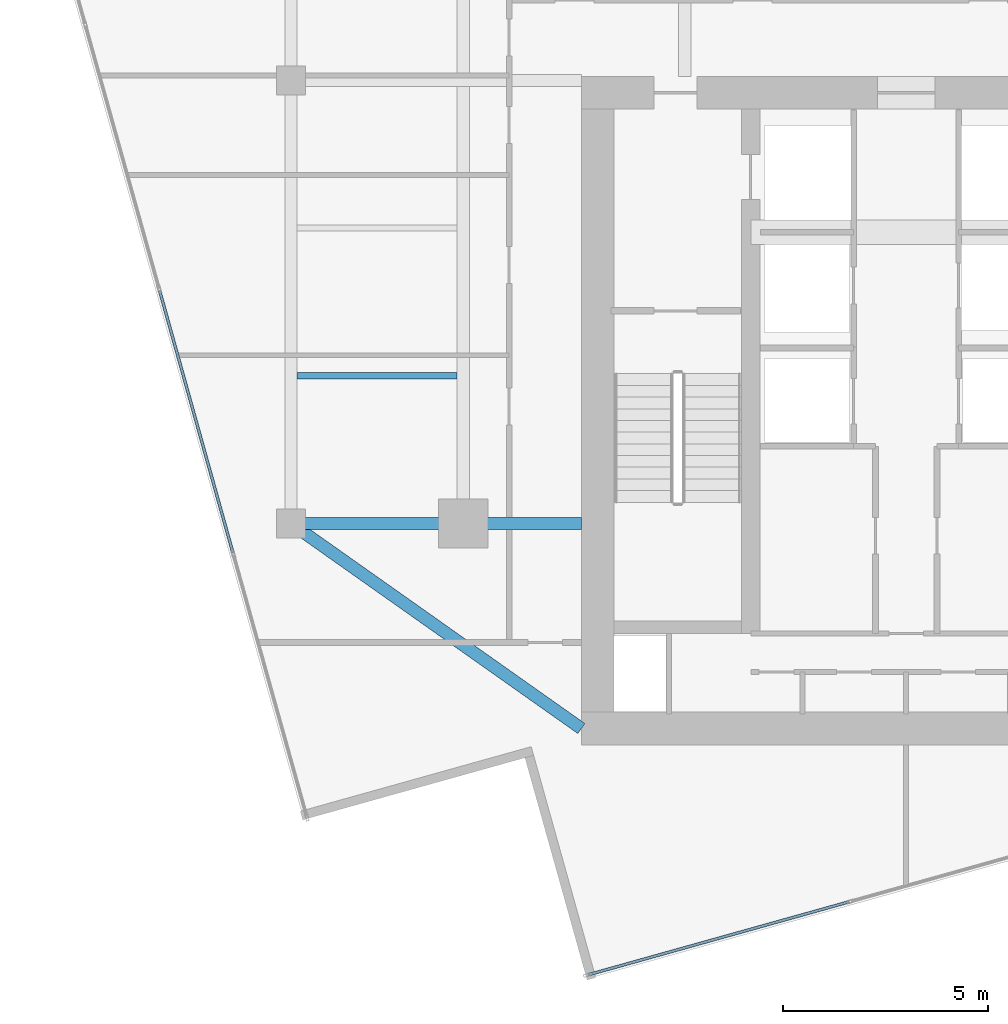
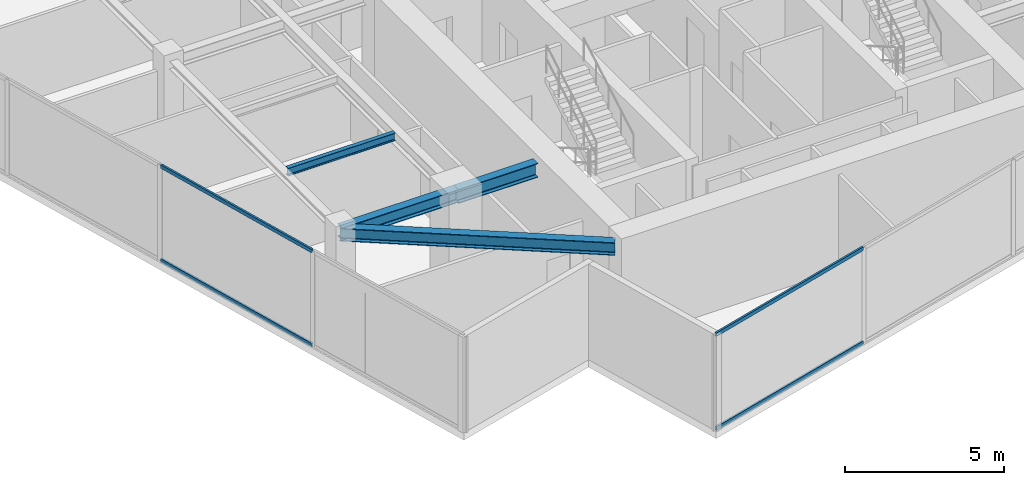
# One storey, part 3 of 20: 4 beams, 4 members, 2 elements without a shape of their own.
"""IFC4 building model written with IfcOpenShell, lengths in metres."""

from ifc_helpers import new_model, si_unit, direction, frame, origin, origin_2d, place, context, subcontext, project, spatial, hollow_rectangle, i_section, extrude, source, transform, mapped, material, material_profile, profile_set, type_object, type_shapes, element, aggregate, save


model = new_model("IFC4")

# Units and contexts
model_context = context("Model", 3, precision=1e-05, world=origin(), true_north=direction((0.0, 1.0)))
body_context = subcontext(model_context, "Body", "Model", "MODEL_VIEW")
ifc_project = project(units=[si_unit("LENGTHUNIT", "METRE"), si_unit("AREAUNIT", "SQUARE_METRE"), si_unit("VOLUMEUNIT", "CUBIC_METRE"), si_unit("PLANEANGLEUNIT", "RADIAN"), si_unit("MASSUNIT", "GRAM", prefix="KILO")], contexts=[model_context])

# Site, building, storey
site_placement = place(None, origin())
site = spatial("IfcSite", under=ifc_project, at=site_placement, CompositionType="ELEMENT")
building_placement = place(site_placement, origin())
building = spatial("IfcBuilding", under=site, at=building_placement, Name="Krantzveldt Concourse Tower", CompositionType="ELEMENT")
storey_placement = place(building_placement, frame((0.0, 0.0, 351.39990234375)))
storey = spatial("IfcBuildingStorey", under=building, at=storey_placement, Name="L86", CompositionType="ELEMENT", Elevation=351.39990234375)

# Beams
ifc_material_1 = material(Name="Steel S355JR", Category="steel")
ifc_material_profile_1 = material_profile(ifc_material_1, i_section(OverallWidth=0.300048828125, OverallDepth=0.489990234375, WebThickness=0.011962890625, FlangeThickness=0.02294921875, FilletRadius=0.027099609375, at=origin_2d()), Name="Steel S355JR", Category="steel")
ifc_profile_set_1 = profile_set([ifc_material_profile_1], Name="Steel S355JR - HEA 500")
beam_type_1 = type_object("IfcBeamType", Name="BM-B-HEA500", PredefinedType="BEAM", material=ifc_profile_set_1)
shared_shape_1 = source(origin(), body_context, "Body", "SweptSolid", [
    extrude(i_section(OverallWidth=0.300048828125, OverallDepth=0.489990234375, WebThickness=0.011962890625, FlangeThickness=0.02294921875, FilletRadius=0.027099609375, at=origin_2d()), origin(), (0.0, 0.0, 1.0), 4.199951171875),
])
beam_1_placement = place(storey_placement, frame((21.0, 15.89990234375, 3.425048828125), z_axis=(1.0, 0.0, 0.0), x_axis=(0.0, 1.0, 0.0)))
element("IfcBeam", 1, at=beam_1_placement, inside=storey, type_object=beam_type_1, Name="L86 Tower Girder BR-RL1", PredefinedType="BEAM", context=body_context, shape_type="MappedRepresentation", body=[
    mapped(shared_shape_1, transform((0.0, 0.0, 0.0), x_axis=(1.0, 0.0, 0.0), y_axis=(0.0, 1.0, 0.0), z_axis=(0.0, 0.0, 1.0), scale=1.0)),
])
shared_shape_2 = source(origin(), body_context, "Body", "SweptSolid", [
    extrude(i_section(OverallWidth=0.300048828125, OverallDepth=0.489990234375, WebThickness=0.011962890625, FlangeThickness=0.02294921875, FilletRadius=0.027099609375, at=origin_2d()), origin(), (0.0, 0.0, 1.0), 8.667724609375),
])
type_shapes(beam_type_1, [shared_shape_1, shared_shape_2])
beam_2_placement = place(storey_placement, frame((21.0, 15.89990234375, 3.425048828125), z_axis=(0.81684294656, -0.576860122261, 0.0), x_axis=(0.576860122261, 0.81684294656, 0.0)))
element("IfcBeam", 2, at=beam_2_placement, inside=storey, type_object=beam_type_1, Name="L86 Tower Girder BR-CSW", PredefinedType="BEAM", context=body_context, shape_type="MappedRepresentation", body=[
    mapped(shared_shape_2, transform((0.0, 0.0, 0.0), x_axis=(1.0, 0.0, 0.0), y_axis=(0.0, 1.0, 0.0), z_axis=(0.0, 0.0, 1.0), scale=1.0)),
])
ifc_material_profile_2 = material_profile(ifc_material_1, i_section(OverallWidth=0.300048828125, OverallDepth=0.5400390625, WebThickness=0.012451171875, FlangeThickness=0.02392578125, FilletRadius=0.027099609375, at=origin_2d()), Name="Steel S355JR", Category="steel")
ifc_profile_set_2 = profile_set([ifc_material_profile_2], Name="Steel S355JR - HEA 550")
beam_type_2 = type_object("IfcBeamType", Name="BM-B-HEA550", PredefinedType="BEAM", material=ifc_profile_set_2)
shared_shape_3 = source(origin(), body_context, "Body", "SweptSolid", [
    extrude(i_section(OverallWidth=0.300048828125, OverallDepth=0.5400390625, WebThickness=0.012451171875, FlangeThickness=0.02392578125, FilletRadius=0.027099609375, at=origin_2d()), origin(), (0.0, 0.0, 1.0), 2.880126953125),
])
type_shapes(beam_type_2, [shared_shape_3])
beam_3_placement = place(storey_placement, frame((25.199951171875, 15.89990234375, 3.400146484375), z_axis=(1.0, 0.0, 0.0), x_axis=(0.0, 1.0, 0.0)))
element("IfcBeam", 3, at=beam_3_placement, inside=storey, type_object=beam_type_2, Name="L86 Tower Girder BG-CW1", PredefinedType="BEAM", context=body_context, shape_type="MappedRepresentation", body=[
    mapped(shared_shape_3, transform((0.0, 0.0, 0.0), x_axis=(1.0, 0.0, 0.0), y_axis=(0.0, 1.0, 0.0), z_axis=(0.0, 0.0, 1.0), scale=1.0)),
])
ifc_material_profile_3 = material_profile(ifc_material_1, i_section(OverallWidth=0.14990234375, OverallDepth=0.300048828125, WebThickness=0.007080078125, FlangeThickness=0.0107421875, FilletRadius=0.014892578125, at=origin_2d()), Name="Steel S355JR", Category="steel")
ifc_profile_set_3 = profile_set([ifc_material_profile_3], Name="Steel S355JR - IPE 300")
beam_type_3 = type_object("IfcBeamType", Name="BM-J-IPE300", PredefinedType="JOIST", material=ifc_profile_set_3)
shared_shape_4 = source(origin(), body_context, "Body", "SweptSolid", [
    extrude(i_section(OverallWidth=0.14990234375, OverallDepth=0.300048828125, WebThickness=0.007080078125, FlangeThickness=0.0107421875, FilletRadius=0.014892578125, at=origin_2d()), origin(), (0.0, 0.0, 1.0), 3.900146484375),
])
type_shapes(beam_type_3, [shared_shape_4])
beam_4_placement = place(storey_placement, frame((21.14990234375, 19.5, 3.52001953125), z_axis=(1.0, 0.0, 0.0), x_axis=(0.0, 1.0, 0.0)))
element("IfcBeam", 4, at=beam_4_placement, inside=storey, type_object=beam_type_3, Name="L86 Secondary Floor Joist JW-1", PredefinedType="JOIST", context=body_context, shape_type="MappedRepresentation", body=[
    mapped(shared_shape_4, transform((0.0, 0.0, 0.0), x_axis=(1.0, 0.0, 0.0), y_axis=(0.0, 1.0, 0.0), z_axis=(0.0, 0.0, 1.0), scale=1.0)),
])

# Curtain wall, members
ifc_material_2 = material(Name="Anodised aluminium 6063-T6", Category="aluminium")
curtain_wall_type = type_object("IfcCurtainWallType", Name="CW4", PredefinedType="USERDEFINED", material=ifc_material_2)
curtain_wall_1_placement = place(storey_placement, origin())
curtain_wall_1 = element("IfcCurtainWall", 5, at=curtain_wall_1_placement, inside=storey, type_object=curtain_wall_type, Name="CW-L86-F07", ObjectType="UNITISED CURTAIN WALL", PredefinedType="USERDEFINED")
ifc_material_profile_4 = material_profile(ifc_material_2, hollow_rectangle(XDim=0.070068359375, YDim=0.139892578125, WallThickness=0.0048828125, at=origin_2d()), Name="Anodised aluminium 6063-T6", Category="aluminium")
ifc_profile_set_4 = profile_set([ifc_material_profile_4], Name="Anodised aluminium 6063-T6 - ALU-TRAN 140x70x5")
member_type = type_object("IfcMemberType", Name="CW-TRN-150", PredefinedType="USERDEFINED", material=ifc_profile_set_4)
shared_shape_5 = source(origin(), body_context, "Body", "SweptSolid", [
    extrude(hollow_rectangle(XDim=0.070068359375, YDim=0.139892578125, WallThickness=0.0048828125, at=origin_2d()), origin(), (0.0, 0.0, 1.0), 6.594970703125),
])
member_1_placement = place(storey_placement, frame((28.255859375, 4.8984375, 0.03515625), z_axis=(0.963042794459, 0.269348428694, 0.0), x_axis=(-0.269348428694, 0.963042794459, 0.0)))
member_1 = element("IfcMember", 6, at=member_1_placement, type_object=member_type, Name="CW-Z56 transom 1.1", ObjectType="TRANSOM", PredefinedType="USERDEFINED", context=body_context, shape_type="MappedRepresentation", body=[
    mapped(shared_shape_5, transform((0.0, 0.0, 0.0), x_axis=(1.0, 0.0, 0.0), y_axis=(0.0, 1.0, 0.0), z_axis=(0.0, 0.0, 1.0), scale=1.0)),
])
member_2_placement = place(storey_placement, frame((28.255859375, 4.8984375, 3.635009765625), z_axis=(0.963042794459, 0.269348428694, 0.0), x_axis=(-0.269348428694, 0.963042794459, 0.0)))
member_2 = element("IfcMember", 7, at=member_2_placement, type_object=member_type, Name="CW-Z56 transom 1.2", ObjectType="TRANSOM", PredefinedType="USERDEFINED", context=body_context, shape_type="MappedRepresentation", body=[
    mapped(shared_shape_5, transform((0.0, 0.0, 0.0), x_axis=(1.0, 0.0, 0.0), y_axis=(0.0, 1.0, 0.0), z_axis=(0.0, 0.0, 1.0), scale=1.0)),
])
aggregate(curtain_wall_1, [member_1, member_2])

curtain_wall_2_placement = place(storey_placement, origin())
curtain_wall_2 = element("IfcCurtainWall", 8, at=curtain_wall_2_placement, inside=storey, type_object=curtain_wall_type, Name="CW-L86-F04", ObjectType="UNITISED CURTAIN WALL", PredefinedType="USERDEFINED")
shared_shape_6 = source(origin(), body_context, "Body", "SweptSolid", [
    extrude(hollow_rectangle(XDim=0.070068359375, YDim=0.139892578125, WallThickness=0.0048828125, at=origin_2d()), origin(), (0.0, 0.0, 1.0), 6.6298828125),
])
type_shapes(member_type, [shared_shape_5, shared_shape_6])
member_3_placement = place(storey_placement, frame((17.79833984375, 21.572998046875, 0.03515625), z_axis=(0.269328056819, -0.963048491931, 0.0), x_axis=(0.963048491931, 0.269328056819, 0.0)))
member_3 = element("IfcMember", 9, at=member_3_placement, type_object=member_type, Name="CW-Z56 transom 3.1", ObjectType="TRANSOM", PredefinedType="USERDEFINED", context=body_context, shape_type="MappedRepresentation", body=[
    mapped(shared_shape_6, transform((0.0, 0.0, 0.0), x_axis=(1.0, 0.0, 0.0), y_axis=(0.0, 1.0, 0.0), z_axis=(0.0, 0.0, 1.0), scale=1.0)),
])
member_4_placement = place(storey_placement, frame((17.79833984375, 21.572998046875, 3.635009765625), z_axis=(0.269328056819, -0.963048491931, 0.0), x_axis=(0.963048491931, 0.269328056819, 0.0)))
member_4 = element("IfcMember", 10, at=member_4_placement, type_object=member_type, Name="CW-Z56 transom 3.2", ObjectType="TRANSOM", PredefinedType="USERDEFINED", context=body_context, shape_type="MappedRepresentation", body=[
    mapped(shared_shape_6, transform((0.0, 0.0, 0.0), x_axis=(1.0, 0.0, 0.0), y_axis=(0.0, 1.0, 0.0), z_axis=(0.0, 0.0, 1.0), scale=1.0)),
])
aggregate(curtain_wall_2, [member_3, member_4])

save(model, "model.ifc")
